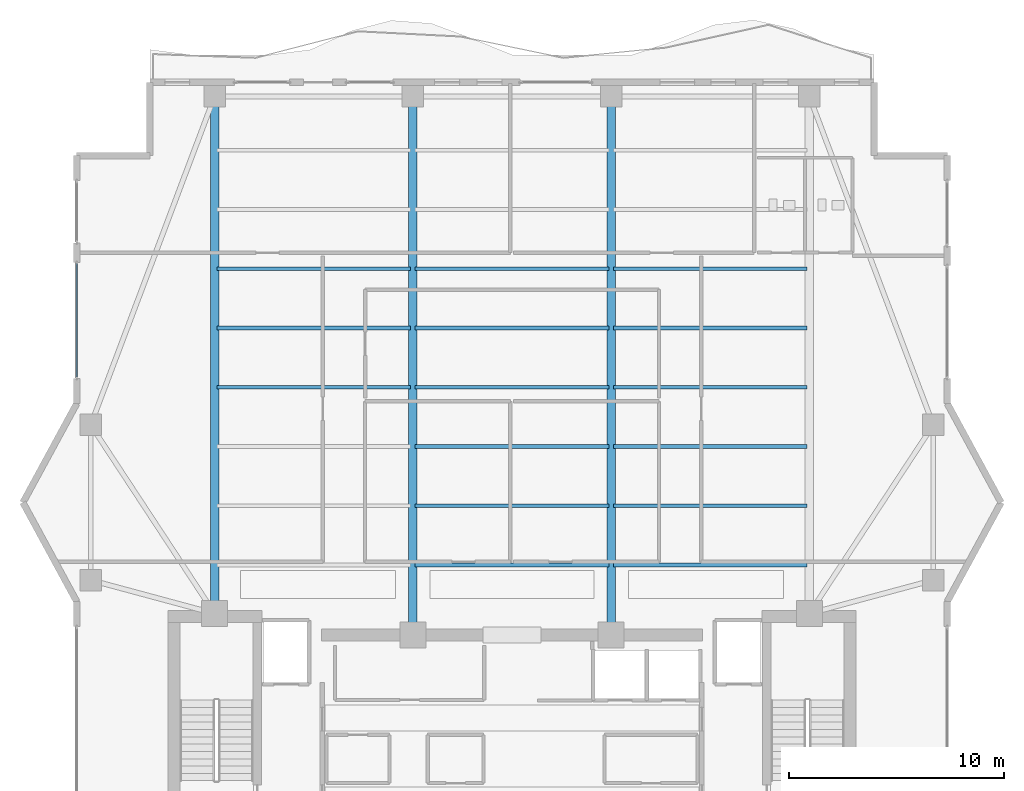
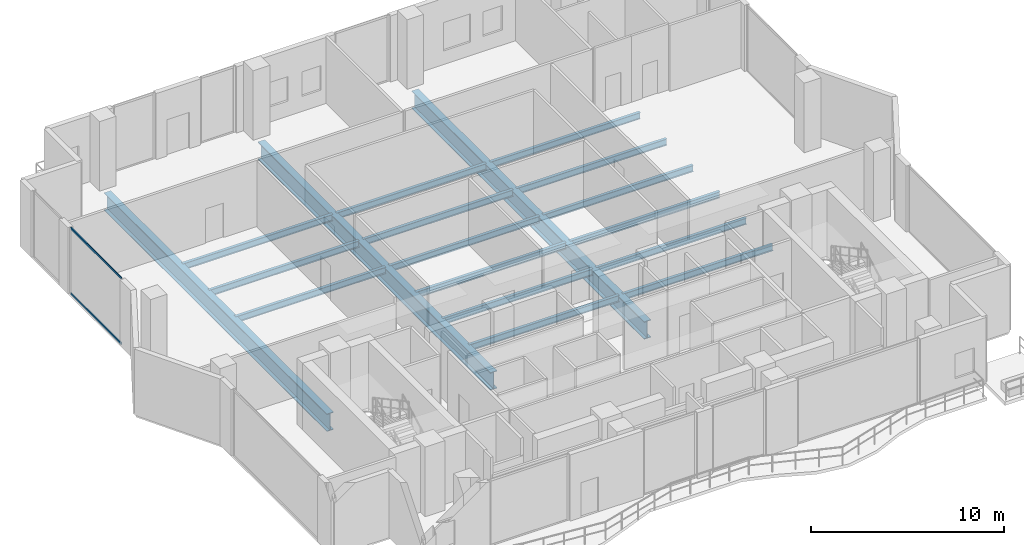
# One storey, part 7 of 23: 18 beams, 2 members, 1 element without a shape of its own.
"""IFC4 building model written with IfcOpenShell, lengths in metres."""

from ifc_helpers import new_model, si_unit, direction, frame, origin, origin_2d, place, context, subcontext, project, spatial, hollow_rectangle, i_section, extrude, material, layer, layer_set, material_profile, profile_set, type_object, element, aggregate, save


model = new_model("IFC4")

# Units and contexts
model_context = context("Model", 3, precision=1e-05, world=origin(), true_north=direction((0.0, 1.0)))
body_context = subcontext(model_context, "Body", "Model", "MODEL_VIEW")
ifc_project = project(units=[si_unit("LENGTHUNIT", "METRE"), si_unit("AREAUNIT", "SQUARE_METRE"), si_unit("VOLUMEUNIT", "CUBIC_METRE"), si_unit("PLANEANGLEUNIT", "RADIAN"), si_unit("MASSUNIT", "GRAM", prefix="KILO")], contexts=[model_context])

# Site, building, storey
site_placement = place(None, origin())
site = spatial("IfcSite", under=ifc_project, at=site_placement, CompositionType="ELEMENT")
building_placement = place(site_placement, origin())
building = spatial("IfcBuilding", under=site, at=building_placement, Name="Zuhayl Quay Hotel", CompositionType="ELEMENT")
storey_placement = place(building_placement, frame((0.0, 0.0, 288.449951171875)))
storey = spatial("IfcBuildingStorey", under=building, at=storey_placement, Name="L73", CompositionType="ELEMENT", Elevation=288.449951171875)

# Beams
ifc_material_1 = material(Name="Steel ASTM A992 Grade 50", Category="steel")
ifc_material_profile_1 = material_profile(ifc_material_1, i_section(OverallWidth=0.177978515625, OverallDepth=0.404052734375, WebThickness=0.007568359375, FlangeThickness=0.010986328125, at=origin_2d()), Name="W16X36")
ifc_profile_set_1 = profile_set([ifc_material_profile_1], Name="Steel ASTM A992 Grade 50")
beam_type_1 = type_object("IfcBeamType", Name="BM_J3_W16X36", PredefinedType="JOIST", material=ifc_profile_set_1)
beam_1_placement = place(storey_placement, frame((-4.493896484375, 16.60009765625, -0.421875), z_axis=(1.0, 0.0, 0.0), x_axis=(0.0, 1.0, 0.0)))
element("IfcBeam", 1, at=beam_1_placement, inside=storey, type_object=beam_type_1, Name="L73 Floor Beam FJ_L73_1_2", PredefinedType="JOIST", context=body_context, shape_type="SweptSolid", body=[
    extrude(i_section(OverallWidth=0.177978515625, OverallDepth=0.404052734375, WebThickness=0.007568359375, FlangeThickness=0.010986328125, at=origin_2d()), origin(), (0.0, 0.0, 1.0), 8.98779296875),
])
beam_2_placement = place(storey_placement, frame((4.7060546875, 16.60009765625, -0.421875), z_axis=(1.0, 0.0, 0.0), x_axis=(0.0, 1.0, 0.0)))
element("IfcBeam", 2, at=beam_2_placement, inside=storey, type_object=beam_type_1, Name="L73 Floor Beam FJ_L73_1_3", PredefinedType="JOIST", context=body_context, shape_type="SweptSolid", body=[
    extrude(i_section(OverallWidth=0.177978515625, OverallDepth=0.404052734375, WebThickness=0.007568359375, FlangeThickness=0.010986328125, at=origin_2d()), origin(), (0.0, 0.0, 1.0), 8.988037109375),
])
beam_3_placement = place(storey_placement, frame((-4.493896484375, 19.35009765625, -0.421875), z_axis=(1.0, 0.0, 0.0), x_axis=(0.0, 1.0, 0.0)))
element("IfcBeam", 3, at=beam_3_placement, inside=storey, type_object=beam_type_1, Name="L73 Floor Beam FJ_L73_2_2", PredefinedType="JOIST", context=body_context, shape_type="SweptSolid", body=[
    extrude(i_section(OverallWidth=0.177978515625, OverallDepth=0.404052734375, WebThickness=0.007568359375, FlangeThickness=0.010986328125, at=origin_2d()), origin(), (0.0, 0.0, 1.0), 8.98779296875),
])
beam_4_placement = place(storey_placement, frame((4.7060546875, 19.35009765625, -0.421875), z_axis=(1.0, 0.0, 0.0), x_axis=(0.0, 1.0, 0.0)))
element("IfcBeam", 4, at=beam_4_placement, inside=storey, type_object=beam_type_1, Name="L73 Floor Beam FJ_L73_2_3", PredefinedType="JOIST", context=body_context, shape_type="SweptSolid", body=[
    extrude(i_section(OverallWidth=0.177978515625, OverallDepth=0.404052734375, WebThickness=0.007568359375, FlangeThickness=0.010986328125, at=origin_2d()), origin(), (0.0, 0.0, 1.0), 8.988037109375),
])
beam_5_placement = place(storey_placement, frame((-4.493896484375, 22.10009765625, -0.421875), z_axis=(1.0, 0.0, 0.0), x_axis=(0.0, 1.0, 0.0)))
element("IfcBeam", 5, at=beam_5_placement, inside=storey, type_object=beam_type_1, Name="L73 Floor Beam FJ_L73_3_2", PredefinedType="JOIST", context=body_context, shape_type="SweptSolid", body=[
    extrude(i_section(OverallWidth=0.177978515625, OverallDepth=0.404052734375, WebThickness=0.007568359375, FlangeThickness=0.010986328125, at=origin_2d()), origin(), (0.0, 0.0, 1.0), 8.98779296875),
])
for number, where, z_axis, x_axis, name in (
    (6, (4.7060546875, 22.10009765625, -0.421875), (1.0, 0.0, 0.0), (0.0, 1.0, 0.0), "L73 Floor Beam FJ_L73_3_3"),
    (7, (-13.694091796875, 24.85009765625, -0.421875), (1.0, 0.0, 0.0), (0.0, 1.0, 0.0), "L73 Floor Beam FJ_L73_4_1"),
):
    element("IfcBeam", number, at=place(storey_placement, frame(where, z_axis=z_axis, x_axis=x_axis)), inside=storey, type_object=beam_type_1, Name=name, PredefinedType="JOIST", context=body_context, shape_type="SweptSolid", body=[
        extrude(i_section(OverallWidth=0.177978515625, OverallDepth=0.404052734375, WebThickness=0.007568359375, FlangeThickness=0.010986328125, at=origin_2d()), origin(), (0.0, 0.0, 1.0), 8.988037109375),
    ])
beam_6_placement = place(storey_placement, frame((-4.493896484375, 24.85009765625, -0.421875), z_axis=(1.0, 0.0, 0.0), x_axis=(0.0, 1.0, 0.0)))
element("IfcBeam", 8, at=beam_6_placement, inside=storey, type_object=beam_type_1, Name="L73 Floor Beam FJ_L73_4_2", PredefinedType="JOIST", context=body_context, shape_type="SweptSolid", body=[
    extrude(i_section(OverallWidth=0.177978515625, OverallDepth=0.404052734375, WebThickness=0.007568359375, FlangeThickness=0.010986328125, at=origin_2d()), origin(), (0.0, 0.0, 1.0), 8.98779296875),
])
for number, where, z_axis, x_axis, name in (
    (9, (4.7060546875, 24.85009765625, -0.421875), (1.0, 0.0, 0.0), (0.0, 1.0, 0.0), "L73 Floor Beam FJ_L73_4_3"),
    (10, (-13.694091796875, 27.60009765625, -0.421875), (1.0, 0.0, 0.0), (0.0, 1.0, 0.0), "L73 Floor Beam FJ_L73_5_1"),
):
    element("IfcBeam", number, at=place(storey_placement, frame(where, z_axis=z_axis, x_axis=x_axis)), inside=storey, type_object=beam_type_1, Name=name, PredefinedType="JOIST", context=body_context, shape_type="SweptSolid", body=[
        extrude(i_section(OverallWidth=0.177978515625, OverallDepth=0.404052734375, WebThickness=0.007568359375, FlangeThickness=0.010986328125, at=origin_2d()), origin(), (0.0, 0.0, 1.0), 8.988037109375),
    ])
beam_7_placement = place(storey_placement, frame((-4.493896484375, 27.60009765625, -0.421875), z_axis=(1.0, 0.0, 0.0), x_axis=(0.0, 1.0, 0.0)))
element("IfcBeam", 11, at=beam_7_placement, inside=storey, type_object=beam_type_1, Name="L73 Floor Beam FJ_L73_5_2", PredefinedType="JOIST", context=body_context, shape_type="SweptSolid", body=[
    extrude(i_section(OverallWidth=0.177978515625, OverallDepth=0.404052734375, WebThickness=0.007568359375, FlangeThickness=0.010986328125, at=origin_2d()), origin(), (0.0, 0.0, 1.0), 8.98779296875),
])
for number, where, z_axis, x_axis, name in (
    (12, (4.7060546875, 27.60009765625, -0.421875), (1.0, 0.0, 0.0), (0.0, 1.0, 0.0), "L73 Floor Beam FJ_L73_5_3"),
    (13, (-13.694091796875, 30.35009765625, -0.421875), (1.0, 0.0, 0.0), (0.0, 1.0, 0.0), "L73 Floor Beam FJ_L73_6_1"),
):
    element("IfcBeam", number, at=place(storey_placement, frame(where, z_axis=z_axis, x_axis=x_axis)), inside=storey, type_object=beam_type_1, Name=name, PredefinedType="JOIST", context=body_context, shape_type="SweptSolid", body=[
        extrude(i_section(OverallWidth=0.177978515625, OverallDepth=0.404052734375, WebThickness=0.007568359375, FlangeThickness=0.010986328125, at=origin_2d()), origin(), (0.0, 0.0, 1.0), 8.988037109375),
    ])
beam_8_placement = place(storey_placement, frame((-4.493896484375, 30.35009765625, -0.421875), z_axis=(1.0, 0.0, 0.0), x_axis=(0.0, 1.0, 0.0)))
element("IfcBeam", 14, at=beam_8_placement, inside=storey, type_object=beam_type_1, Name="L73 Floor Beam FJ_L73_6_2", PredefinedType="JOIST", context=body_context, shape_type="SweptSolid", body=[
    extrude(i_section(OverallWidth=0.177978515625, OverallDepth=0.404052734375, WebThickness=0.007568359375, FlangeThickness=0.010986328125, at=origin_2d()), origin(), (0.0, 0.0, 1.0), 8.98779296875),
])
beam_9_placement = place(storey_placement, frame((4.7060546875, 30.35009765625, -0.421875), z_axis=(1.0, 0.0, 0.0), x_axis=(0.0, 1.0, 0.0)))
element("IfcBeam", 15, at=beam_9_placement, inside=storey, type_object=beam_type_1, Name="L73 Floor Beam FJ_L73_6_3", PredefinedType="JOIST", context=body_context, shape_type="SweptSolid", body=[
    extrude(i_section(OverallWidth=0.177978515625, OverallDepth=0.404052734375, WebThickness=0.007568359375, FlangeThickness=0.010986328125, at=origin_2d()), origin(), (0.0, 0.0, 1.0), 8.988037109375),
])
ifc_material_2 = material(Name="Steel ASTM A913 Grade 65", Category="steel")
ifc_material_profile_2 = material_profile(ifc_material_2, i_section(OverallWidth=0.404052734375, OverallDepth=1.117919921875, WebThickness=0.026123046875, FlangeThickness=0.044921875, at=origin_2d()), Name="W44X335")
ifc_profile_set_2 = profile_set([ifc_material_profile_2], Name="Steel ASTM A913 Grade 65")
beam_type_2 = type_object("IfcBeamType", Name="BM_TG1_W44X335", PredefinedType="BEAM", material=ifc_profile_set_2)
beam_10_placement = place(storey_placement, frame((-13.800048828125, 14.800048828125, -0.779052734375), z_axis=(0.0, 1.0, 0.0), x_axis=(-1.0, 0.0, 0.0)))
element("IfcBeam", 16, at=beam_10_placement, inside=storey, type_object=beam_type_2, Name="L73 Floor Beam FG_N_L73_1", PredefinedType="BEAM", context=body_context, shape_type="SweptSolid", body=[
    extrude(i_section(OverallWidth=0.404052734375, OverallDepth=1.117919921875, WebThickness=0.026123046875, FlangeThickness=0.044921875, at=origin_2d()), origin(), (0.0, 0.0, 1.0), 23.08984375),
])
for number, where, z_axis, x_axis, name in (
    (17, (-4.60009765625, 13.800048828125, -0.779052734375), (0.0, 1.0, 0.0), (-1.0, 0.0, 0.0), "L73 Floor Beam FG_N_L73_2"),
    (18, (4.60009765625, 13.800048828125, -0.779052734375), (0.0, 1.0, 0.0), (-1.0, 0.0, 0.0), "L73 Floor Beam FG_N_L73_3"),
):
    element("IfcBeam", number, at=place(storey_placement, frame(where, z_axis=z_axis, x_axis=x_axis)), inside=storey, type_object=beam_type_2, Name=name, PredefinedType="BEAM", context=body_context, shape_type="SweptSolid", body=[
        extrude(i_section(OverallWidth=0.404052734375, OverallDepth=1.117919921875, WebThickness=0.026123046875, FlangeThickness=0.044921875, at=origin_2d()), origin(), (0.0, 0.0, 1.0), 24.08984375),
    ])

# Curtain wall, members
ifc_material_3 = material(Name="Anodised Aluminium 6063-T6", Category="aluminium")
ifc_layer = layer(ifc_material_3, 0.169921875, Name="Anodised Aluminium 6063-T6", Category="aluminium")
ifc_layer_set = layer_set([ifc_layer], Name="Anodised Aluminium 6063-T6")
curtain_wall_type = type_object("IfcCurtainWallType", Name="CW_SYS_Z4", PredefinedType="USERDEFINED", material=ifc_layer_set)
curtain_wall_placement = place(storey_placement, origin())
curtain_wall = element("IfcCurtainWall", 19, at=curtain_wall_placement, inside=storey, type_object=curtain_wall_type, Name="L73 Curtain Wall ENV_L73_E05_CW1", ObjectType="UNITISED CURTAIN WALL", PredefinedType="USERDEFINED")
ifc_material_4 = material(Name="Black-anodised aluminium 6063-T6", Category="aluminium")
ifc_material_profile_3 = material_profile(ifc_material_4, hollow_rectangle(XDim=0.054931640625, YDim=0.1298828125, WallThickness=0.0029296875, at=origin_2d()), Name="ALU130X55")
ifc_profile_set_3 = profile_set([ifc_material_profile_3], Name="Black-anodised aluminium 6063-T6")
member_type = type_object("IfcMemberType", Name="MB_CW_TRN_130", PredefinedType="USERDEFINED", material=ifc_profile_set_3)
member_1_placement = place(storey_placement, frame((-20.199951171875, 25.31494140625, 0.027587890625), z_axis=(0.0, 1.0, 0.0), x_axis=(-1.0, 0.0, 0.0)))
member_1 = element("IfcMember", 20, at=member_1_placement, type_object=member_type, Name="CW-Z4 transom 1.1", ObjectType="TRANSOM", PredefinedType="USERDEFINED", context=body_context, shape_type="SweptSolid", body=[
    extrude(hollow_rectangle(XDim=0.054931640625, YDim=0.1298828125, WallThickness=0.0029296875, at=origin_2d()), origin(), (0.0, 0.0, 1.0), 5.27001953125),
])
member_2_placement = place(storey_placement, frame((-20.199951171875, 25.31494140625, 4.152587890625), z_axis=(0.0, 1.0, 0.0), x_axis=(-1.0, 0.0, 0.0)))
member_2 = element("IfcMember", 21, at=member_2_placement, type_object=member_type, Name="CW-Z4 transom 1.2", ObjectType="TRANSOM", PredefinedType="USERDEFINED", context=body_context, shape_type="SweptSolid", body=[
    extrude(hollow_rectangle(XDim=0.054931640625, YDim=0.1298828125, WallThickness=0.0029296875, at=origin_2d()), origin(), (0.0, 0.0, 1.0), 5.27001953125),
])
aggregate(curtain_wall, [member_1, member_2])

save(model, "model.ifc")
